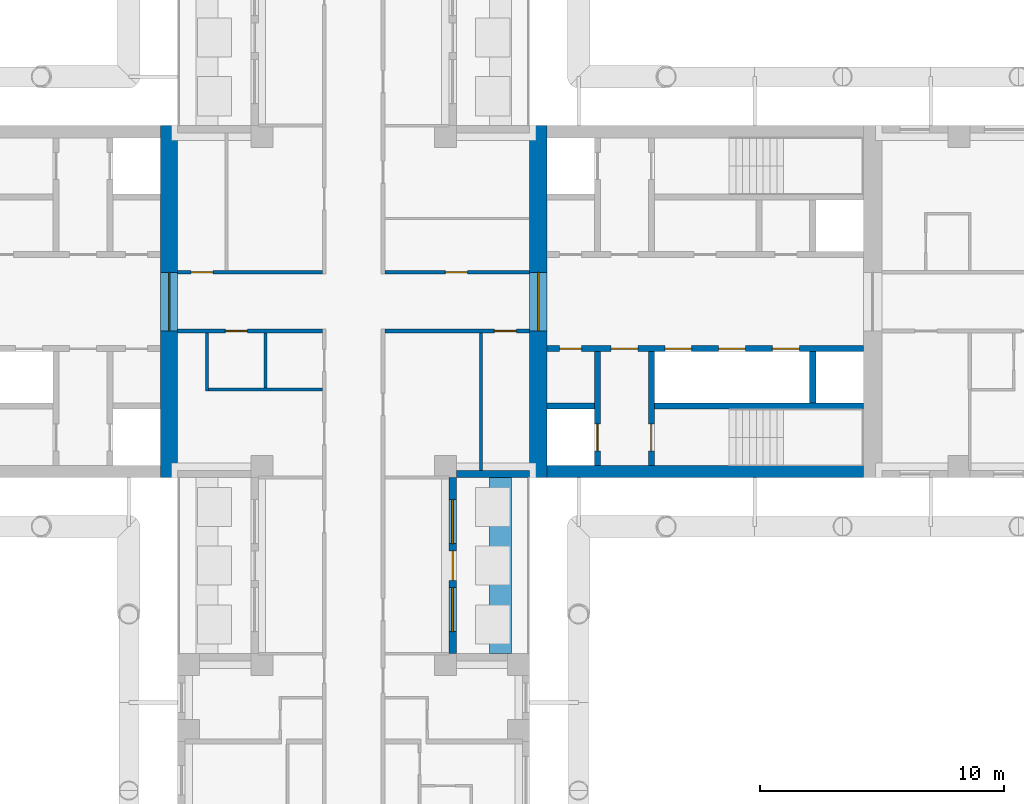
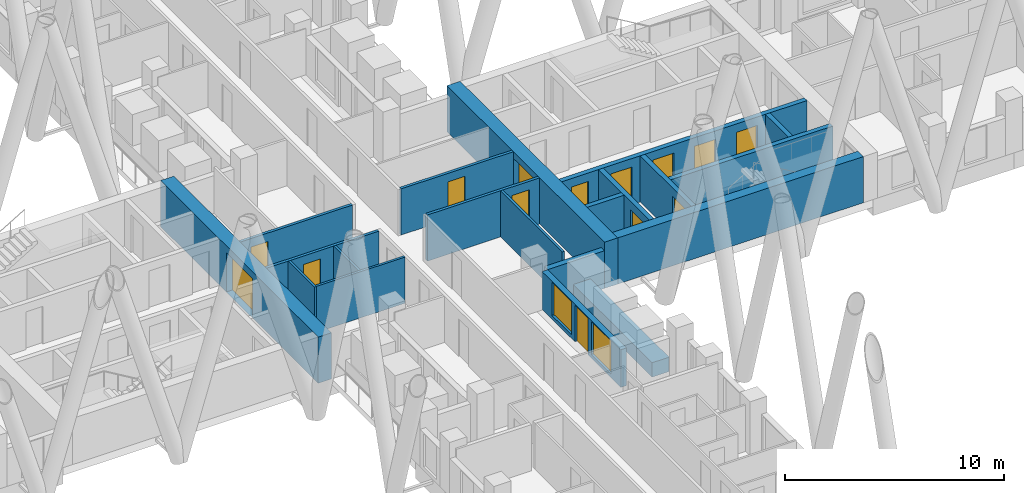
# One storey, part 8 of 17: 20 walls, 14 doors, 2 windows, 16 openings.
"""IFC4 building model written with IfcOpenShell, lengths in metres."""

from ifc_helpers import new_model, si_unit, direction, frame, frame_2d, origin, place, context, subcontext, project, spatial, rectangle, extrude, material, layer, layer_set, type_object, element, fill, save


model = new_model("IFC4")

# Units and contexts
model_context = context("Model", 3, precision=1e-05, world=origin(), true_north=direction((0.0, 1.0)))
body_context = subcontext(model_context, "Body", "Model", "MODEL_VIEW")
ifc_project = project(units=[si_unit("LENGTHUNIT", "METRE"), si_unit("AREAUNIT", "SQUARE_METRE"), si_unit("VOLUMEUNIT", "CUBIC_METRE"), si_unit("PLANEANGLEUNIT", "RADIAN"), si_unit("MASSUNIT", "GRAM", prefix="KILO")], contexts=[model_context])

# Site, building, storey
site_placement = place(None, origin())
site = spatial("IfcSite", under=ifc_project, at=site_placement, CompositionType="ELEMENT")
building_placement = place(site_placement, origin())
building = spatial("IfcBuilding", under=site, at=building_placement, Name="Fustian Cross Tower", CompositionType="ELEMENT")
storey_placement = place(building_placement, frame((0.0, 0.0, 32.699951171875)))
storey = spatial("IfcBuildingStorey", under=building, at=storey_placement, Name="L09", CompositionType="ELEMENT", Elevation=32.699951171875)

# Wall, opening, door
ifc_material_1 = material(Name="Plasterboard on steel stud", Category="steel")
ifc_layer_1 = layer(ifc_material_1, 0.14990234375)
ifc_layer_set_1 = layer_set([ifc_layer_1], Name="Plasterboard on steel stud")
wall_type_1 = type_object("IfcWallType", Name="COMPARTMENT WALL 150 EI 60", PredefinedType="PARTITIONING", material=ifc_layer_set_1)
wall_1_placement = place(storey_placement, frame((-7.199951171875, -1.199951171875, 0.0), z_axis=(0.0, 0.0, 1.0), x_axis=(1.0, 0.0, 0.0)))
wall_1 = element("IfcWall", 1, at=wall_1_placement, inside=storey, type_object=wall_type_1, Name="Partition 7", PredefinedType="PARTITIONING", context=body_context, shape_type="SweptSolid", body=[
    extrude(rectangle(XDim=5.925048828125, YDim=0.14990234375, at=frame_2d((2.96240234375, 0.0))), origin(), (0.0, 0.0, 1.0), 2.574951171875),
])
opening_1_placement = place(wall_1_placement, frame((1.949951171875, 0.0, 0.0)))
opening_1 = element("IfcOpeningElement", 2, at=opening_1_placement, cuts=wall_1, Name="Opening D06008", PredefinedType="OPENING", context=body_context, shape_type="SweptSolid", body=[
    extrude(rectangle(XDim=0.89990234375, YDim=2.10009765625, at=frame_2d((0.449951171875, 1.050048828125))), frame((0.0, 0.0849609375, 0.0), z_axis=(0.0, -1.0, 0.0), x_axis=(1.0, 0.0, 0.0)), (0.0, 0.0, 1.0), 0.169921875),
])
ifc_material_2 = material(Name="Timber fire door set", Category="wood")
door_type_1 = type_object("IfcDoorType", Name="FIRE SWING DOOR 900 FD30S", OperationType="SINGLE_SWING_LEFT", PredefinedType="DOOR", material=ifc_material_2)
door_1_placement = place(opening_1_placement, frame((0.89990234375, 0.0, 0.0), z_axis=(0.0, 0.0, 1.0), x_axis=(-1.0, 0.0, 0.0)))
door_1 = element("IfcDoor", 3, at=door_1_placement, inside=storey, type_object=door_type_1, Name="Door D06008", OperationType="SINGLE_SWING_RIGHT", OverallHeight=2.10009765625, OverallWidth=0.89990234375, PredefinedType="DOOR", context=body_context, shape_type="SweptSolid", body=[
    extrude(rectangle(XDim=0.89990234375, YDim=2.10009765625, at=frame_2d((0.449951171875, 1.050048828125))), frame((0.0, 0.02490234375, 0.0), z_axis=(0.0, -1.0, 0.0), x_axis=(1.0, 0.0, 0.0)), (0.0, 0.0, 1.0), 0.050048828125),
])
fill(opening_1, door_1)

wall_2_placement = place(storey_placement, frame((-7.199951171875, 1.199951171875, 0.0), z_axis=(0.0, 0.0, 1.0), x_axis=(1.0, 0.0, 0.0)))
wall_2 = element("IfcWall", 4, at=wall_2_placement, inside=storey, type_object=wall_type_1, Name="Partition 8", PredefinedType="PARTITIONING", context=body_context, shape_type="SweptSolid", body=[
    extrude(rectangle(XDim=5.925048828125, YDim=0.14990234375, at=frame_2d((2.96240234375, 0.0))), origin(), (0.0, 0.0, 1.0), 2.574951171875),
])
opening_2_placement = place(wall_2_placement, frame((0.550048828125, 0.0, 0.0)))
opening_2 = element("IfcOpeningElement", 5, at=opening_2_placement, cuts=wall_2, Name="Opening D06004", PredefinedType="OPENING", context=body_context, shape_type="SweptSolid", body=[
    extrude(rectangle(XDim=0.89990234375, YDim=2.10009765625, at=frame_2d((0.449951171875, 1.050048828125))), frame((0.0, 0.0849609375, 0.0), z_axis=(0.0, -1.0, 0.0), x_axis=(1.0, 0.0, 0.0)), (0.0, 0.0, 1.0), 0.169921875),
])
door_2_placement = place(opening_2_placement, origin())
door_2 = element("IfcDoor", 6, at=door_2_placement, inside=storey, type_object=door_type_1, Name="Door D06004", OperationType="SINGLE_SWING_LEFT", OverallHeight=2.10009765625, OverallWidth=0.89990234375, PredefinedType="DOOR", context=body_context, shape_type="SweptSolid", body=[
    extrude(rectangle(XDim=0.89990234375, YDim=2.10009765625, at=frame_2d((0.449951171875, 1.050048828125))), frame((0.0, 0.02490234375, 0.0), z_axis=(0.0, -1.0, 0.0), x_axis=(1.0, 0.0, 0.0)), (0.0, 0.0, 1.0), 0.050048828125),
])
fill(opening_2, door_2)

wall_3_placement = place(storey_placement, frame((1.27490234375, -1.199951171875, 0.0), z_axis=(0.0, 0.0, 1.0), x_axis=(1.0, 0.0, 0.0)))
wall_3 = element("IfcWall", 7, at=wall_3_placement, inside=storey, type_object=wall_type_1, Name="Partition 53", PredefinedType="PARTITIONING", context=body_context, shape_type="SweptSolid", body=[
    extrude(rectangle(XDim=5.925048828125, YDim=0.14990234375, at=frame_2d((2.96240234375, 0.0))), origin(), (0.0, 0.0, 1.0), 2.574951171875),
])
opening_3_placement = place(wall_3_placement, frame((4.47509765625, 0.0, 0.0)))
opening_3 = element("IfcOpeningElement", 8, at=opening_3_placement, cuts=wall_3, Name="Opening D06006", PredefinedType="OPENING", context=body_context, shape_type="SweptSolid", body=[
    extrude(rectangle(XDim=0.89990234375, YDim=2.10009765625, at=frame_2d((0.449951171875, 1.050048828125))), frame((0.0, 0.0849609375, 0.0), z_axis=(0.0, -1.0, 0.0), x_axis=(1.0, 0.0, 0.0)), (0.0, 0.0, 1.0), 0.169921875),
])
door_3_placement = place(opening_3_placement, frame((0.89990234375, 0.0, 0.0), z_axis=(0.0, 0.0, 1.0), x_axis=(-1.0, 0.0, 0.0)))
door_3 = element("IfcDoor", 9, at=door_3_placement, inside=storey, type_object=door_type_1, Name="Door D06006", OperationType="SINGLE_SWING_RIGHT", OverallHeight=2.10009765625, OverallWidth=0.89990234375, PredefinedType="DOOR", context=body_context, shape_type="SweptSolid", body=[
    extrude(rectangle(XDim=0.89990234375, YDim=2.10009765625, at=frame_2d((0.449951171875, 1.050048828125))), frame((0.0, 0.02490234375, 0.0), z_axis=(0.0, -1.0, 0.0), x_axis=(1.0, 0.0, 0.0)), (0.0, 0.0, 1.0), 0.050048828125),
])
fill(opening_3, door_3)

wall_4_placement = place(storey_placement, frame((1.27490234375, 1.199951171875, 0.0), z_axis=(0.0, 0.0, 1.0), x_axis=(1.0, 0.0, 0.0)))
wall_4 = element("IfcWall", 10, at=wall_4_placement, inside=storey, type_object=wall_type_1, Name="Partition 55", PredefinedType="PARTITIONING", context=body_context, shape_type="SweptSolid", body=[
    extrude(rectangle(XDim=5.925048828125, YDim=0.14990234375, at=frame_2d((2.96240234375, 0.0))), origin(), (0.0, 0.0, 1.0), 2.574951171875),
])
opening_4_placement = place(wall_4_placement, frame((2.47509765625, 0.0, 0.0)))
opening_4 = element("IfcOpeningElement", 11, at=opening_4_placement, cuts=wall_4, Name="Opening D06001", PredefinedType="OPENING", context=body_context, shape_type="SweptSolid", body=[
    extrude(rectangle(XDim=0.89990234375, YDim=2.10009765625, at=frame_2d((0.449951171875, 1.050048828125))), frame((0.0, 0.0849609375, 0.0), z_axis=(0.0, -1.0, 0.0), x_axis=(1.0, 0.0, 0.0)), (0.0, 0.0, 1.0), 0.169921875),
])
door_4_placement = place(opening_4_placement, origin())
door_4 = element("IfcDoor", 12, at=door_4_placement, inside=storey, type_object=door_type_1, Name="Door D06001", OperationType="SINGLE_SWING_LEFT", OverallHeight=2.10009765625, OverallWidth=0.89990234375, PredefinedType="DOOR", context=body_context, shape_type="SweptSolid", body=[
    extrude(rectangle(XDim=0.89990234375, YDim=2.10009765625, at=frame_2d((0.449951171875, 1.050048828125))), frame((0.0, 0.02490234375, 0.0), z_axis=(0.0, -1.0, 0.0), x_axis=(1.0, 0.0, 0.0)), (0.0, 0.0, 1.0), 0.050048828125),
])
fill(opening_4, door_4)

ifc_material_3 = material(Name="Concrete C80/95", Category="concrete")
ifc_layer_2 = layer(ifc_material_3, 0.699951171875)
ifc_layer_set_2 = layer_set([ifc_layer_2], Name="Concrete C80/95")
wall_type_2 = type_object("IfcWallType", Name="CORE END WALL 700 C80/95", PredefinedType="SHEAR", material=ifc_layer_set_2)
wall_5_placement = place(storey_placement, frame((7.550048828125, -7.199951171875, 0.0), z_axis=(0.0, 0.0, 1.0), x_axis=(0.0, 1.0, 0.0)))
wall_5 = element("IfcWall", 13, at=wall_5_placement, inside=storey, type_object=wall_type_2, Name="Core end wall", PredefinedType="SHEAR", context=body_context, shape_type="SweptSolid", body=[
    extrude(rectangle(XDim=14.39990234375, YDim=0.699951171875, at=frame_2d((7.199951171875, 0.0))), origin(), (0.0, 0.0, 1.0), 2.574951171875),
])
opening_5_placement = place(wall_5_placement, frame((6.0, 0.0, 0.0)))
opening_5 = element("IfcOpeningElement", 14, at=opening_5_placement, cuts=wall_5, Name="Opening CD-06-12", PredefinedType="OPENING", context=body_context, shape_type="SweptSolid", body=[
    extrude(rectangle(XDim=2.39990234375, YDim=2.199951171875, at=frame_2d((1.199951171875, 1.10009765625))), frame((0.0, 0.35986328125, 0.0), z_axis=(0.0, -1.0, 0.0), x_axis=(1.0, 0.0, 0.0)), (0.0, 0.0, 1.0), 0.719970703125),
])
ifc_material_4 = material(Name="Steel", Category="steel")
door_type_2 = type_object("IfcDoorType", Name="FIRE DOOR FD30S DOUBLE 2400X2200", OperationType="DOUBLE_DOOR_DOUBLE_SWING", PredefinedType="DOOR", material=ifc_material_4)
door_5_placement = place(opening_5_placement, frame((2.39990234375, 0.0, 0.0), z_axis=(0.0, 0.0, 1.0), x_axis=(-1.0, 0.0, 0.0)))
door_5 = element("IfcDoor", 15, at=door_5_placement, inside=storey, type_object=door_type_2, Name="Core door CD-06-12", OperationType="DOUBLE_DOOR_DOUBLE_SWING", OverallHeight=2.199951171875, OverallWidth=2.39990234375, PredefinedType="DOOR", context=body_context, shape_type="SweptSolid", body=[
    extrude(rectangle(XDim=2.39990234375, YDim=2.199951171875, at=frame_2d((1.199951171875, 1.10009765625))), frame((0.0, 0.02490234375, 0.0), z_axis=(0.0, -1.0, 0.0), x_axis=(1.0, 0.0, 0.0)), (0.0, 0.0, 1.0), 0.050048828125),
])
fill(opening_5, door_5)

wall_6_placement = place(storey_placement, frame((-7.550048828125, -7.199951171875, 0.0), z_axis=(0.0, 0.0, 1.0), x_axis=(0.0, 1.0, 0.0)))
wall_6 = element("IfcWall", 16, at=wall_6_placement, inside=storey, type_object=wall_type_2, Name="Core end wall", PredefinedType="SHEAR", context=body_context, shape_type="SweptSolid", body=[
    extrude(rectangle(XDim=14.39990234375, YDim=0.699951171875, at=frame_2d((7.199951171875, 0.0))), origin(), (0.0, 0.0, 1.0), 2.574951171875),
])
opening_6_placement = place(wall_6_placement, frame((6.0, 0.0, 0.0)))
opening_6 = element("IfcOpeningElement", 17, at=opening_6_placement, cuts=wall_6, Name="Opening CD-06-27", PredefinedType="OPENING", context=body_context, shape_type="SweptSolid", body=[
    extrude(rectangle(XDim=2.39990234375, YDim=2.199951171875, at=frame_2d((1.199951171875, 1.10009765625))), frame((0.0, 0.35986328125, 0.0), z_axis=(0.0, -1.0, 0.0), x_axis=(1.0, 0.0, 0.0)), (0.0, 0.0, 1.0), 0.719970703125),
])
door_6_placement = place(opening_6_placement, origin())
door_6 = element("IfcDoor", 18, at=door_6_placement, inside=storey, type_object=door_type_2, Name="Core door CD-06-27", OperationType="DOUBLE_DOOR_DOUBLE_SWING", OverallHeight=2.199951171875, OverallWidth=2.39990234375, PredefinedType="DOOR", context=body_context, shape_type="SweptSolid", body=[
    extrude(rectangle(XDim=2.39990234375, YDim=2.199951171875, at=frame_2d((1.199951171875, 1.10009765625))), frame((0.0, 0.02490234375, 0.0), z_axis=(0.0, -1.0, 0.0), x_axis=(1.0, 0.0, 0.0)), (0.0, 0.0, 1.0), 0.050048828125),
])
fill(opening_6, door_6)

# Wall
ifc_material_5 = material(Name="Concrete C80/95", Category="concrete")
ifc_layer_3 = layer(ifc_material_5, 0.5)
ifc_layer_set_3 = layer_set([ifc_layer_3], Name="Concrete C80/95")
wall_type_3 = type_object("IfcWallType", Name="CORE FACADE WALL 500 C80/95", PredefinedType="SHEAR", material=ifc_layer_set_3)
wall_7_placement = place(storey_placement, frame((7.89990234375, -6.949951171875, 0.0), z_axis=(0.0, 0.0, 1.0), x_axis=(1.0, 0.0, 0.0)))
element("IfcWall", 19, at=wall_7_placement, inside=storey, type_object=wall_type_3, Name="Core facade wall", PredefinedType="SHEAR", context=body_context, shape_type="SweptSolid", body=[
    extrude(rectangle(XDim=12.9501953125, YDim=0.5, at=frame_2d((6.47509765625, 0.0))), origin(), (0.0, 0.0, 1.0), 2.574951171875),
])

# Wall, openings, doors
ifc_material_6 = material(Name="Concrete C50/60", Category="concrete")
ifc_layer_4 = layer(ifc_material_6, 0.25)
ifc_layer_set_4 = layer_set([ifc_layer_4], Name="Concrete C50/60")
wall_type_4 = type_object("IfcWallType", Name="CORE LOBBY WALL 250 C50/60", PredefinedType="SHEAR", material=ifc_layer_set_4)
wall_8_placement = place(storey_placement, frame((7.89990234375, -1.925048828125, 0.0), z_axis=(0.0, 0.0, 1.0), x_axis=(1.0, 0.0, 0.0)))
wall_8 = element("IfcWall", 20, at=wall_8_placement, inside=storey, type_object=wall_type_4, Name="Core lobby wall", PredefinedType="SHEAR", context=body_context, shape_type="SweptSolid", body=[
    extrude(rectangle(XDim=12.9501953125, YDim=0.25, at=frame_2d((6.47509765625, 0.0))), origin(), (0.0, 0.0, 1.0), 2.574951171875),
])
opening_7_placement = place(wall_8_placement, frame((4.824951171875, 0.0, 0.0)))
opening_7 = element("IfcOpeningElement", 21, at=opening_7_placement, cuts=wall_8, Name="Opening LD", PredefinedType="OPENING", context=body_context, shape_type="SweptSolid", body=[
    extrude(rectangle(XDim=1.10009765625, YDim=2.10009765625, at=frame_2d((0.550048828125, 1.050048828125))), frame((0.0, 0.135009765625, 0.0), z_axis=(0.0, -1.0, 0.0), x_axis=(1.0, 0.0, 0.0)), (0.0, 0.0, 1.0), 0.27001953125),
])
opening_8_placement = place(wall_8_placement, frame((7.02490234375, 0.0, 0.0)))
opening_8 = element("IfcOpeningElement", 22, at=opening_8_placement, cuts=wall_8, Name="Opening LD", PredefinedType="OPENING", context=body_context, shape_type="SweptSolid", body=[
    extrude(rectangle(XDim=1.10009765625, YDim=2.10009765625, at=frame_2d((0.550048828125, 1.050048828125))), frame((0.0, 0.135009765625, 0.0), z_axis=(0.0, -1.0, 0.0), x_axis=(1.0, 0.0, 0.0)), (0.0, 0.0, 1.0), 0.27001953125),
])
opening_9_placement = place(wall_8_placement, frame((9.22509765625, 0.0, 0.0)))
opening_9 = element("IfcOpeningElement", 23, at=opening_9_placement, cuts=wall_8, Name="Opening LD", PredefinedType="OPENING", context=body_context, shape_type="SweptSolid", body=[
    extrude(rectangle(XDim=1.10009765625, YDim=2.10009765625, at=frame_2d((0.550048828125, 1.050048828125))), frame((0.0, 0.135009765625, 0.0), z_axis=(0.0, -1.0, 0.0), x_axis=(1.0, 0.0, 0.0)), (0.0, 0.0, 1.0), 0.27001953125),
])
opening_10_placement = place(wall_8_placement, frame((0.52490234375, 0.0, 0.0)))
opening_10 = element("IfcOpeningElement", 24, at=opening_10_placement, cuts=wall_8, Name="Opening CD-06-09", PredefinedType="OPENING", context=body_context, shape_type="SweptSolid", body=[
    extrude(rectangle(XDim=0.89990234375, YDim=2.10009765625, at=frame_2d((0.449951171875, 1.050048828125))), frame((0.0, 0.135009765625, 0.0), z_axis=(0.0, -1.0, 0.0), x_axis=(1.0, 0.0, 0.0)), (0.0, 0.0, 1.0), 0.27001953125),
])
opening_11_placement = place(wall_8_placement, frame((2.625, 0.0, 0.0)))
opening_11 = element("IfcOpeningElement", 25, at=opening_11_placement, cuts=wall_8, Name="Opening CD-06-11", PredefinedType="OPENING", context=body_context, shape_type="SweptSolid", body=[
    extrude(rectangle(XDim=1.10009765625, YDim=2.10009765625, at=frame_2d((0.550048828125, 1.050048828125))), frame((0.0, 0.135009765625, 0.0), z_axis=(0.0, -1.0, 0.0), x_axis=(1.0, 0.0, 0.0)), (0.0, 0.0, 1.0), 0.27001953125),
])
ifc_material_7 = material(Name="Steel", Category="steel")
door_type_3 = type_object("IfcDoorType", Name="FIRE DOOR FD30S 1100X2100", OperationType="SINGLE_SWING_LEFT", PredefinedType="DOOR", material=ifc_material_7)
door_7_placement = place(opening_11_placement, frame((1.10009765625, 0.0, 0.0), z_axis=(0.0, 0.0, 1.0), x_axis=(-1.0, 0.0, 0.0)))
door_7 = element("IfcDoor", 26, at=door_7_placement, inside=storey, type_object=door_type_3, Name="Core door CD-06-11", OperationType="SINGLE_SWING_RIGHT", OverallHeight=2.10009765625, OverallWidth=1.10009765625, PredefinedType="DOOR", context=body_context, shape_type="SweptSolid", body=[
    extrude(rectangle(XDim=1.10009765625, YDim=2.10009765625, at=frame_2d((0.550048828125, 1.050048828125))), frame((0.0, 0.02490234375, 0.0), z_axis=(0.0, -1.0, 0.0), x_axis=(1.0, 0.0, 0.0)), (0.0, 0.0, 1.0), 0.050048828125),
])
fill(opening_11, door_7)
ifc_material_8 = material(Name="Steel", Category="steel")
door_type_4 = type_object("IfcDoorType", Name="FIRE DOOR FD30S 900X2100", OperationType="SINGLE_SWING_LEFT", PredefinedType="DOOR", material=ifc_material_8)
door_8_placement = place(opening_10_placement, frame((0.89990234375, 0.0, 0.0), z_axis=(0.0, 0.0, 1.0), x_axis=(-1.0, 0.0, 0.0)))
door_8 = element("IfcDoor", 27, at=door_8_placement, inside=storey, type_object=door_type_4, Name="Core door CD-06-09", OperationType="SINGLE_SWING_RIGHT", OverallHeight=2.10009765625, OverallWidth=0.89990234375, PredefinedType="DOOR", context=body_context, shape_type="SweptSolid", body=[
    extrude(rectangle(XDim=0.89990234375, YDim=2.10009765625, at=frame_2d((0.449951171875, 1.050048828125))), frame((0.0, 0.02490234375, 0.0), z_axis=(0.0, -1.0, 0.0), x_axis=(1.0, 0.0, 0.0)), (0.0, 0.0, 1.0), 0.050048828125),
])
fill(opening_10, door_8)
ifc_material_9 = material(Name="Stainless steel", Category="steel")
door_type_5 = type_object("IfcDoorType", Name="LIFT LANDING DOOR 1100X2100", OperationType="SLIDING_TO_LEFT", PredefinedType="DOOR", material=ifc_material_9)
door_9_placement = place(opening_7_placement, origin())
door_9 = element("IfcDoor", 28, at=door_9_placement, inside=storey, type_object=door_type_5, Name="Landing door LR1", OperationType="SLIDING_TO_LEFT", OverallHeight=2.10009765625, OverallWidth=1.10009765625, PredefinedType="DOOR", context=body_context, shape_type="SweptSolid", body=[
    extrude(rectangle(XDim=1.10009765625, YDim=2.10009765625, at=frame_2d((0.550048828125, 1.050048828125))), frame((0.0, 0.02490234375, 0.0), z_axis=(0.0, -1.0, 0.0), x_axis=(1.0, 0.0, 0.0)), (0.0, 0.0, 1.0), 0.050048828125),
])
fill(opening_7, door_9)
door_10_placement = place(opening_8_placement, origin())
door_10 = element("IfcDoor", 29, at=door_10_placement, inside=storey, type_object=door_type_5, Name="Landing door LR2", OperationType="SLIDING_TO_LEFT", OverallHeight=2.10009765625, OverallWidth=1.10009765625, PredefinedType="DOOR", context=body_context, shape_type="SweptSolid", body=[
    extrude(rectangle(XDim=1.10009765625, YDim=2.10009765625, at=frame_2d((0.550048828125, 1.050048828125))), frame((0.0, 0.02490234375, 0.0), z_axis=(0.0, -1.0, 0.0), x_axis=(1.0, 0.0, 0.0)), (0.0, 0.0, 1.0), 0.050048828125),
])
fill(opening_8, door_10)
door_11_placement = place(opening_9_placement, origin())
door_11 = element("IfcDoor", 30, at=door_11_placement, inside=storey, type_object=door_type_5, Name="Landing door LR3", OperationType="SLIDING_TO_LEFT", OverallHeight=2.10009765625, OverallWidth=1.10009765625, PredefinedType="DOOR", context=body_context, shape_type="SweptSolid", body=[
    extrude(rectangle(XDim=1.10009765625, YDim=2.10009765625, at=frame_2d((0.550048828125, 1.050048828125))), frame((0.0, 0.02490234375, 0.0), z_axis=(0.0, -1.0, 0.0), x_axis=(1.0, 0.0, 0.0)), (0.0, 0.0, 1.0), 0.050048828125),
])
fill(opening_9, door_11)

# Walls
ifc_material_10 = material(Name="Concrete C50/60", Category="concrete")
ifc_layer_5 = layer(ifc_material_10, 0.25)
ifc_layer_set_5 = layer_set([ifc_layer_5], Name="Concrete C50/60")
wall_type_5 = type_object("IfcWallType", Name="CORE SHAFT WALL 250 C50/60", PredefinedType="SHEAR", material=ifc_layer_set_5)
wall_9_placement = place(storey_placement, frame((7.89990234375, -4.27490234375, 0.0), z_axis=(0.0, 0.0, 1.0), x_axis=(1.0, 0.0, 0.0)))
element("IfcWall", 31, at=wall_9_placement, inside=storey, type_object=wall_type_5, Name="Core shaft wall", PredefinedType="SHEAR", context=body_context, shape_type="SweptSolid", body=[
    extrude(rectangle(XDim=1.9501953125, YDim=0.25, at=frame_2d((0.97509765625, 0.0))), origin(), (0.0, 0.0, 1.0), 2.574951171875),
])
wall_10_placement = place(storey_placement, frame((12.300048828125, -4.27490234375, 0.0), z_axis=(0.0, 0.0, 1.0), x_axis=(1.0, 0.0, 0.0)))
element("IfcWall", 32, at=wall_10_placement, inside=storey, type_object=wall_type_5, Name="Core shaft wall", PredefinedType="SHEAR", context=body_context, shape_type="SweptSolid", body=[
    extrude(rectangle(XDim=8.550048828125, YDim=0.25, at=frame_2d((4.27490234375, 0.0))), origin(), (0.0, 0.0, 1.0), 2.574951171875),
])

# Wall, opening, door
wall_11_placement = place(storey_placement, frame((9.97509765625, -2.050048828125, 0.0), z_axis=(0.0, 0.0, 1.0), x_axis=(0.0, -1.0, 0.0)))
wall_11 = element("IfcWall", 33, at=wall_11_placement, inside=storey, type_object=wall_type_5, Name="Core shaft wall", PredefinedType="SHEAR", context=body_context, shape_type="SweptSolid", body=[
    extrude(rectangle(XDim=4.64990234375, YDim=0.25, at=frame_2d((2.324951171875, 0.0))), origin(), (0.0, 0.0, 1.0), 2.574951171875),
])
opening_12_placement = place(wall_11_placement, frame((2.949951171875, 0.0, 0.0)))
opening_12 = element("IfcOpeningElement", 34, at=opening_12_placement, cuts=wall_11, Name="Opening LD", PredefinedType="OPENING", context=body_context, shape_type="SweptSolid", body=[
    extrude(rectangle(XDim=1.10009765625, YDim=2.10009765625, at=frame_2d((0.550048828125, 1.050048828125))), frame((0.0, 0.135009765625, 0.0), z_axis=(0.0, -1.0, 0.0), x_axis=(1.0, 0.0, 0.0)), (0.0, 0.0, 1.0), 0.27001953125),
])
door_12_placement = place(opening_12_placement, origin())
door_12 = element("IfcDoor", 35, at=door_12_placement, inside=storey, type_object=door_type_5, Name="Landing door SV1", OperationType="SLIDING_TO_LEFT", OverallHeight=2.10009765625, OverallWidth=1.10009765625, PredefinedType="DOOR", context=body_context, shape_type="SweptSolid", body=[
    extrude(rectangle(XDim=1.10009765625, YDim=2.10009765625, at=frame_2d((0.550048828125, 1.050048828125))), frame((0.0, 0.02490234375, 0.0), z_axis=(0.0, -1.0, 0.0), x_axis=(1.0, 0.0, 0.0)), (0.0, 0.0, 1.0), 0.050048828125),
])
fill(opening_12, door_12)

wall_12_placement = place(storey_placement, frame((12.175048828125, -2.050048828125, 0.0), z_axis=(0.0, 0.0, 1.0), x_axis=(0.0, -1.0, 0.0)))
wall_12 = element("IfcWall", 36, at=wall_12_placement, inside=storey, type_object=wall_type_5, Name="Core shaft wall", PredefinedType="SHEAR", context=body_context, shape_type="SweptSolid", body=[
    extrude(rectangle(XDim=4.64990234375, YDim=0.25, at=frame_2d((2.324951171875, 0.0))), origin(), (0.0, 0.0, 1.0), 2.574951171875),
])
opening_13_placement = place(wall_12_placement, frame((2.949951171875, 0.0, 0.0)))
opening_13 = element("IfcOpeningElement", 37, at=opening_13_placement, cuts=wall_12, Name="Opening CD-06-07", PredefinedType="OPENING", context=body_context, shape_type="SweptSolid", body=[
    extrude(rectangle(XDim=1.10009765625, YDim=2.10009765625, at=frame_2d((0.550048828125, 1.050048828125))), frame((0.0, 0.135009765625, 0.0), z_axis=(0.0, -1.0, 0.0), x_axis=(1.0, 0.0, 0.0)), (0.0, 0.0, 1.0), 0.27001953125),
])
ifc_material_11 = material(Name="Steel", Category="steel")
door_type_6 = type_object("IfcDoorType", Name="FIRE DOOR FD60S 1100X2100", OperationType="SINGLE_SWING_LEFT", PredefinedType="DOOR", material=ifc_material_11)
door_13_placement = place(opening_13_placement, origin())
door_13 = element("IfcDoor", 38, at=door_13_placement, inside=storey, type_object=door_type_6, Name="Core door CD-06-07", OperationType="SINGLE_SWING_LEFT", OverallHeight=2.10009765625, OverallWidth=1.10009765625, PredefinedType="DOOR", context=body_context, shape_type="SweptSolid", body=[
    extrude(rectangle(XDim=1.10009765625, YDim=2.10009765625, at=frame_2d((0.550048828125, 1.050048828125))), frame((0.0, 0.02490234375, 0.0), z_axis=(0.0, -1.0, 0.0), x_axis=(1.0, 0.0, 0.0)), (0.0, 0.0, 1.0), 0.050048828125),
])
fill(opening_13, door_13)

# Walls
ifc_material_12 = material(Name="Concrete C40/50", Category="concrete")
ifc_layer_6 = layer(ifc_material_12, 0.89990234375)
ifc_layer_set_6 = layer_set([ifc_layer_6], Name="Concrete C40/50")
wall_type_6 = type_object("IfcWallType", Name="PK1 PLANTER 900", PredefinedType="PARAPET", material=ifc_layer_set_6)
wall_13_placement = place(storey_placement, frame((6.0, -14.39990234375, 0.0), z_axis=(0.0, 0.0, 1.0), x_axis=(0.0, 1.0, 0.0)))
element("IfcWall", 39, at=wall_13_placement, inside=storey, type_object=wall_type_6, Name="PLANTER", PredefinedType="PARAPET", context=body_context, shape_type="SweptSolid", body=[
    extrude(rectangle(XDim=7.199951171875, YDim=0.89990234375, at=frame_2d((3.60009765625, 0.0))), origin(), (0.0, 0.0, 1.0), 0.800048828125),
])
ifc_material_13 = material(Name="Concrete C40/50", Category="concrete")
ifc_layer_7 = layer(ifc_material_13, 0.25)
ifc_layer_set_7 = layer_set([ifc_layer_7], Name="Concrete C40/50")
wall_type_7 = type_object("IfcWallType", Name="SHAFT PARTITION WALL 250 C40/50", PredefinedType="PARTITIONING", material=ifc_layer_set_7)
wall_14_placement = place(storey_placement, frame((18.77490234375, -2.050048828125, 0.0), z_axis=(0.0, 0.0, 1.0), x_axis=(0.0, -1.0, 0.0)))
element("IfcWall", 40, at=wall_14_placement, inside=storey, type_object=wall_type_7, Name="Core shaft wall", PredefinedType="PARTITIONING", context=body_context, shape_type="SweptSolid", body=[
    extrude(rectangle(XDim=2.099853515625, YDim=0.25, at=frame_2d((1.0498046875, 0.0))), origin(), (0.0, 0.0, 1.0), 2.574951171875),
])
ifc_material_14 = material(Name="Plasterboard on steel stud", Category="steel")
ifc_layer_8 = layer(ifc_material_14, 0.125)
ifc_layer_set_8 = layer_set([ifc_layer_8], Name="Plasterboard on steel stud")
wall_type_8 = type_object("IfcWallType", Name="WET WALL 125 STUD", PredefinedType="PARTITIONING", material=ifc_layer_set_8)
wall_15_placement = place(storey_placement, frame((-6.0, -3.66259765625, 0.0), z_axis=(0.0, 0.0, 1.0), x_axis=(0.0, 1.0, 0.0)))
element("IfcWall", 41, at=wall_15_placement, inside=storey, type_object=wall_type_8, Name="Partition 21", PredefinedType="PARTITIONING", context=body_context, shape_type="SweptSolid", body=[
    extrude(rectangle(XDim=2.3876953125, YDim=0.125, at=frame_2d((1.19384765625, 0.0))), origin(), (0.0, 0.0, 1.0), 2.574951171875),
])
wall_16_placement = place(storey_placement, frame((-5.9375, -3.60009765625, 0.0), z_axis=(0.0, 0.0, 1.0), x_axis=(1.0, 0.0, 0.0)))
element("IfcWall", 42, at=wall_16_placement, inside=storey, type_object=wall_type_8, Name="Partition 22", PredefinedType="PARTITIONING", context=body_context, shape_type="SweptSolid", body=[
    extrude(rectangle(XDim=4.66259765625, YDim=0.125, at=frame_2d((2.331298828125, 0.0))), origin(), (0.0, 0.0, 1.0), 2.574951171875),
])
wall_17_placement = place(storey_placement, frame((-3.60009765625, -3.53759765625, 0.0), z_axis=(0.0, 0.0, 1.0), x_axis=(0.0, 1.0, 0.0)))
element("IfcWall", 43, at=wall_17_placement, inside=storey, type_object=wall_type_8, Name="Partition 39", PredefinedType="PARTITIONING", context=body_context, shape_type="SweptSolid", body=[
    extrude(rectangle(XDim=2.2626953125, YDim=0.125, at=frame_2d((1.13134765625, 0.0))), origin(), (0.0, 0.0, 1.0), 2.574951171875),
])
wall_18_placement = place(storey_placement, frame((5.199951171875, -6.89990234375, 0.0), z_axis=(0.0, 0.0, 1.0), x_axis=(0.0, 1.0, 0.0)))
element("IfcWall", 44, at=wall_18_placement, inside=storey, type_object=wall_type_8, Name="Partition 87", PredefinedType="PARTITIONING", context=body_context, shape_type="SweptSolid", body=[
    extrude(rectangle(XDim=5.625, YDim=0.125, at=frame_2d((2.8125, 0.0))), origin(), (0.0, 0.0, 1.0), 2.574951171875),
])

# Wall, openings, door, windows
ifc_material_15 = material(Name="Dark aluminium cladding on insulated backing wall", Category="aluminium")
ifc_layer_9 = layer(ifc_material_15, 0.300048828125)
ifc_layer_set_9 = layer_set([ifc_layer_9], Name="Dark aluminium cladding on insulated backing wall")
wall_type_9 = type_object("IfcWallType", Name="XW1 EXTERNAL WALL 300", PredefinedType="SOLIDWALL", material=ifc_layer_set_9)
wall_19_placement = place(storey_placement, frame((4.050048828125, -14.39990234375, 0.0), z_axis=(0.0, 0.0, 1.0), x_axis=(0.0, 1.0, 0.0)))
wall_19 = element("IfcWall", 45, at=wall_19_placement, inside=storey, type_object=wall_type_9, Name="External wall", PredefinedType="SOLIDWALL", context=body_context, shape_type="SweptSolid", body=[
    extrude(rectangle(XDim=7.199951171875, YDim=0.300048828125, at=frame_2d((3.60009765625, 0.0))), origin(), (0.0, 0.0, 1.0), 2.10009765625),
])
opening_14_placement = place(wall_19_placement, frame((3.0, 0.0, 0.0)))
opening_14 = element("IfcOpeningElement", 46, at=opening_14_placement, cuts=wall_19, Name="Opening XD3", PredefinedType="OPENING", context=body_context, shape_type="SweptSolid", body=[
    extrude(rectangle(XDim=1.199951171875, YDim=2.050048828125, at=frame_2d((0.60009765625, 1.02490234375))), frame((0.0, 0.159912109375, 0.0), z_axis=(0.0, -1.0, 0.0), x_axis=(1.0, 0.0, 0.0)), (0.0, 0.0, 1.0), 0.320068359375),
])
opening_15_placement = place(wall_19_placement, frame((0.89990234375, 0.0, 0.199951171875)))
opening_15 = element("IfcOpeningElement", 47, at=opening_15_placement, cuts=wall_19, Name="Opening WN2", PredefinedType="OPENING", context=body_context, shape_type="SweptSolid", body=[
    extrude(rectangle(XDim=1.800048828125, YDim=1.85009765625, at=frame_2d((0.89990234375, 0.925048828125))), frame((0.0, 0.159912109375, 0.0), z_axis=(0.0, -1.0, 0.0), x_axis=(1.0, 0.0, 0.0)), (0.0, 0.0, 1.0), 0.320068359375),
])
opening_16_placement = place(wall_19_placement, frame((4.5, 0.0, 0.199951171875)))
opening_16 = element("IfcOpeningElement", 48, at=opening_16_placement, cuts=wall_19, Name="Opening WN2", PredefinedType="OPENING", context=body_context, shape_type="SweptSolid", body=[
    extrude(rectangle(XDim=1.800048828125, YDim=1.85009765625, at=frame_2d((0.89990234375, 0.925048828125))), frame((0.0, 0.159912109375, 0.0), z_axis=(0.0, -1.0, 0.0), x_axis=(1.0, 0.0, 0.0)), (0.0, 0.0, 1.0), 0.320068359375),
])
ifc_material_16 = material(Name="Dark anodised aluminium and double glazing", Category="aluminium")
door_type_7 = type_object("IfcDoorType", Name="ED1 BALCONY DOOR 1200X2050", OperationType="SINGLE_SWING_LEFT", PredefinedType="DOOR", material=ifc_material_16)
door_14_placement = place(opening_14_placement, origin())
door_14 = element("IfcDoor", 49, at=door_14_placement, inside=storey, type_object=door_type_7, Name="Balcony door", OperationType="SINGLE_SWING_LEFT", OverallHeight=2.050048828125, OverallWidth=1.199951171875, PredefinedType="DOOR", context=body_context, shape_type="SweptSolid", body=[
    extrude(rectangle(XDim=1.199951171875, YDim=2.050048828125, at=frame_2d((0.60009765625, 1.02490234375))), frame((0.0, 0.02490234375, 0.0), z_axis=(0.0, -1.0, 0.0), x_axis=(1.0, 0.0, 0.0)), (0.0, 0.0, 1.0), 0.050048828125),
])
fill(opening_14, door_14)
ifc_material_17 = material(Name="Dark anodised aluminium and double glazing", Category="aluminium")
window_type = type_object("IfcWindowType", Name="WN2 WINDOW 1800X1850", PartitioningType="SINGLE_PANEL", PredefinedType="WINDOW", material=ifc_material_17)
window_1_placement = place(opening_15_placement, origin())
window_1 = element("IfcWindow", 50, at=window_1_placement, inside=storey, type_object=window_type, Name="Window", OverallHeight=1.85009765625, OverallWidth=1.800048828125, PartitioningType="SINGLE_PANEL", PredefinedType="WINDOW", context=body_context, shape_type="SweptSolid", body=[
    extrude(rectangle(XDim=1.800048828125, YDim=1.85009765625, at=frame_2d((0.89990234375, 0.925048828125))), frame((0.0, 0.030029296875, 0.0), z_axis=(0.0, -1.0, 0.0), x_axis=(1.0, 0.0, 0.0)), (0.0, 0.0, 1.0), 0.06005859375),
])
fill(opening_15, window_1)
window_2_placement = place(opening_16_placement, origin())
window_2 = element("IfcWindow", 51, at=window_2_placement, inside=storey, type_object=window_type, Name="Window", OverallHeight=1.85009765625, OverallWidth=1.800048828125, PartitioningType="SINGLE_PANEL", PredefinedType="WINDOW", context=body_context, shape_type="SweptSolid", body=[
    extrude(rectangle(XDim=1.800048828125, YDim=1.85009765625, at=frame_2d((0.89990234375, 0.925048828125))), frame((0.0, 0.030029296875, 0.0), z_axis=(0.0, -1.0, 0.0), x_axis=(1.0, 0.0, 0.0)), (0.0, 0.0, 1.0), 0.06005859375),
])
fill(opening_16, window_2)

# Wall
wall_20_placement = place(storey_placement, frame((4.199951171875, -7.050048828125, 0.0), z_axis=(0.0, 0.0, 1.0), x_axis=(1.0, 0.0, 0.0)))
element("IfcWall", 52, at=wall_20_placement, inside=storey, type_object=wall_type_9, Name="External wall", PredefinedType="SOLIDWALL", context=body_context, shape_type="SweptSolid", body=[
    extrude(rectangle(XDim=3.0, YDim=0.300048828125, at=frame_2d((1.5, 0.0))), origin(), (0.0, 0.0, 1.0), 2.10009765625),
])

save(model, "model.ifc")
